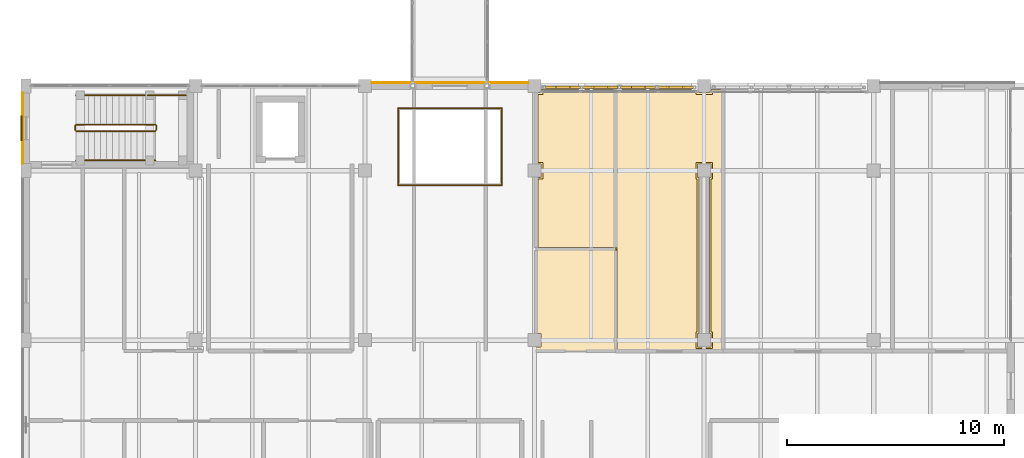
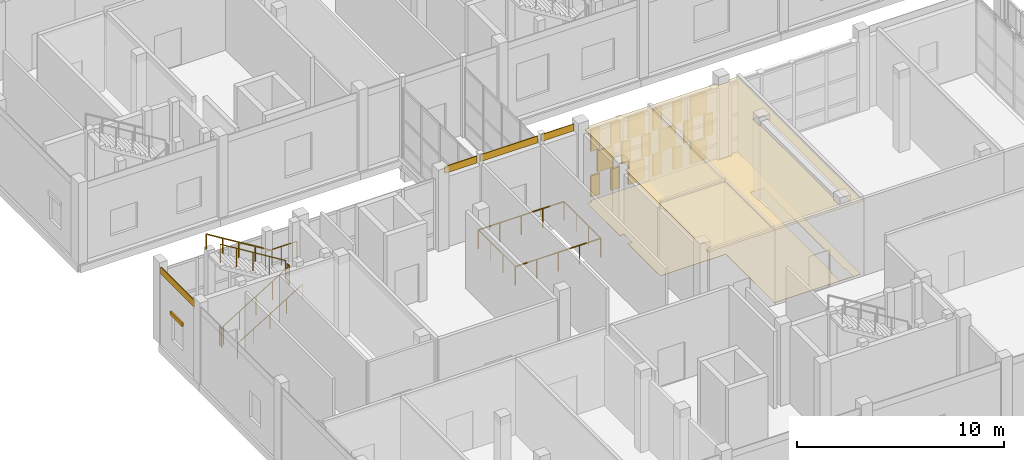
# One storey, part 119 of 138: 25 coverings, 11 railings, 1 shading device.
"""IFC4 building model written with IfcOpenShell, lengths in metres."""

import ifcopenshell
import ifcopenshell.guid

model = None  # the IFC model being written
_history = None  # IfcOwnerHistory: only IFC2X3 demands one
_inside = {}  # id of a spatial element -> (the spatial element, [elements in it])
_under = {}  # id of a project, library or spatial element -> (it, [spatial elements below it])
_declared = {}  # id of a project -> (the project, [libraries it declares])
_typed = {}  # id of a type object -> (the type object, [elements of that type])
_made_of = {}  # id of a material, layer set ... -> (it, [elements and type objects made of it])


def new_model(schema):
    """Start an empty IFC model of exactly this schema.

    Asked for "IFC4X3", IfcOpenShell would pick the latest addendum, in which some entities
    have other attributes; the version numbers below select the first issue.
    IFC2X3 requires an IfcOwnerHistory on every rooted entity: one is made here for all.
    """
    global model, _history
    if schema == "IFC4X3":
        model = ifcopenshell.file(schema_version=(4, 3, 0, 0))
    else:
        model = ifcopenshell.file(schema=schema)
    _inside.clear()
    _under.clear()
    _declared.clear()
    _typed.clear()
    _made_of.clear()
    _history = None
    if model.schema == "IFC2X3":
        org = make("IfcOrganization", Name="unknown")
        user = make(
            "IfcPersonAndOrganization",
            ThePerson=make("IfcPerson", FamilyName="unknown"),
            TheOrganization=org,
        )
        app = make(
            "IfcApplication",
            ApplicationDeveloper=org,
            Version="unknown",
            ApplicationFullName="unknown",
            ApplicationIdentifier="unknown",
        )
        _history = make(
            "IfcOwnerHistory",
            OwningUser=user,
            OwningApplication=app,
            ChangeAction="ADDED",
            CreationDate=0,
        )
    return model


def make(cls, **values):
    """One entity of the class cls with the attributes given. An attribute that is None is left unset."""
    return model.create_entity(
        cls, **{name: value for name, value in values.items() if value is not None}
    )


def rooted(cls, **values):
    """An entity with a GlobalId (a new one), such as an element, a storey or a relation."""
    return make(cls, GlobalId=ifcopenshell.guid.new(), OwnerHistory=_history, **values)


def si_unit(unit_type, name, prefix=None):
    """IfcSIUnit, for example si_unit("LENGTHUNIT", "METRE", prefix="MILLI")."""
    return make("IfcSIUnit", UnitType=unit_type, Prefix=prefix, Name=name)


def assignment(units):
    """IfcUnitAssignment: the units of a project."""
    return None if units is None else make("IfcUnitAssignment", Units=units)


def point(xyz):
    """IfcCartesianPoint."""
    return None if xyz is None else make("IfcCartesianPoint", Coordinates=xyz)


def direction(xyz):
    """IfcDirection."""
    return None if xyz is None else make("IfcDirection", DirectionRatios=xyz)


def frame(location, z_axis=None, x_axis=None):
    """IfcAxis2Placement3D, a coordinate frame: its origin and axes. An axis left out is left unset."""
    return make(
        "IfcAxis2Placement3D",
        Location=point(location),
        Axis=direction(z_axis),
        RefDirection=direction(x_axis),
    )


def frame_2d(location, x_axis=None):
    """IfcAxis2Placement2D, a coordinate frame in the plane: its origin and x axis."""
    return make(
        "IfcAxis2Placement2D", Location=point(location), RefDirection=direction(x_axis)
    )


def origin():
    """The frame at (0, 0, 0) with its axes left unset."""
    return frame((0.0, 0.0, 0.0))


def origin_2d():
    """The frame at (0, 0) in the plane with its x axis left unset."""
    return frame_2d((0.0, 0.0))


def place(relative_to, where):
    """IfcLocalPlacement: puts the frame where relative to a parent placement (None: the world)."""
    return make(
        "IfcLocalPlacement", PlacementRelTo=relative_to, RelativePlacement=where
    )


def context(
    kind, dimensions, precision=None, world=None, true_north=None, identifier=None
):
    """IfcGeometricRepresentationContext, for example the 3D "Model" context."""
    return make(
        "IfcGeometricRepresentationContext",
        ContextIdentifier=identifier,
        ContextType=kind,
        CoordinateSpaceDimension=dimensions,
        Precision=precision,
        WorldCoordinateSystem=world,
        TrueNorth=true_north,
    )


def subcontext(parent, identifier, kind, view, scale=None):
    """IfcGeometricRepresentationSubContext, for example "Body" below "Model"."""
    return make(
        "IfcGeometricRepresentationSubContext",
        ContextIdentifier=identifier,
        ContextType=kind,
        ParentContext=parent,
        TargetScale=scale,
        TargetView=view,
    )


def project(units=None, contexts=None):
    """IfcProject with its units and contexts."""
    return rooted(
        "IfcProject",
        Name="project",
        RepresentationContexts=contexts,
        UnitsInContext=assignment(units),
    )


def spatial(cls, under=None, at=None, **own):
    """A site, building, storey or space (cls), placed at a placement, below another one or the project."""
    s = rooted(cls, ObjectPlacement=at, **own)
    if under is not None:
        _under.setdefault(under.id(), (under, []))[1].append(s)
    return s


def polyline(points):
    """IfcPolyline through the points."""
    return make("IfcPolyline", Points=[point(p) for p in points])


def profile(cls, at=None, kind="AREA", **sizes):
    """A parametric profile (cls). Its sizes go by their IFC names, for example OverallWidth=200.0."""
    return make(cls, ProfileType=kind, Position=at, **sizes)


def rectangle(**sizes):
    """IfcRectangleProfileDef."""
    return profile("IfcRectangleProfileDef", **sizes)


def circle(**sizes):
    """IfcCircleProfileDef."""
    return profile("IfcCircleProfileDef", **sizes)


def outline(outer, holes=None, kind="AREA"):
    """IfcArbitraryClosedProfileDef: a profile drawn as a closed curve; with holes, ...WithVoids."""
    if holes is None:
        return make("IfcArbitraryClosedProfileDef", ProfileType=kind, OuterCurve=outer)
    return make(
        "IfcArbitraryProfileDefWithVoids",
        ProfileType=kind,
        OuterCurve=outer,
        InnerCurves=holes,
    )


def extrude(swept, where, along, depth):
    """IfcExtrudedAreaSolid: the profile swept, set in the frame where, extruded along a direction by depth."""
    return make(
        "IfcExtrudedAreaSolid",
        SweptArea=swept,
        Position=where,
        ExtrudedDirection=direction(along),
        Depth=depth,
    )


def shape(context_of_items, identifier, shape_type, items):
    """IfcShapeRepresentation: the items that make up one representation, for example the "Body"."""
    return make(
        "IfcShapeRepresentation",
        ContextOfItems=context_of_items,
        RepresentationIdentifier=identifier,
        RepresentationType=shape_type,
        Items=items,
    )


def material(Name=None, Category=None):
    """IfcMaterial."""
    return make("IfcMaterial", Name=Name, Category=Category)


def layer(
    of_material, thickness, ventilated=None, Name=None, Category=None, Priority=None
):
    """IfcMaterialLayer: one layer of a wall or slab, of a material (None: an air gap)."""
    return make(
        "IfcMaterialLayer",
        Material=of_material,
        LayerThickness=thickness,
        IsVentilated=ventilated,
        Name=Name,
        Category=Category,
        Priority=Priority,
    )


def layer_set(layers, Name=None):
    """IfcMaterialLayerSet."""
    return make("IfcMaterialLayerSet", MaterialLayers=layers, LayerSetName=Name)


def made_of(thing, what):
    """Note that an element or type object is made of a material, layer set ...; save() writes the relation."""
    if what is not None:
        _made_of.setdefault(what.id(), (what, []))[1].append(thing)
    return thing


def type_object(cls, material=None, **own):
    """A type object (cls), such as IfcWallType, which elements share."""
    return made_of(rooted(cls, **own), material)


def element(
    cls,
    number,
    at=None,
    inside=None,
    cuts=None,
    type_object=None,
    material=None,
    context=None,
    identifier="Body",
    shape_type=None,
    held_by="IfcProductDefinitionShape",
    body=None,
    shapes=None,
    **own,
):
    """One element of the class cls, such as IfcWall. Its Tag is "e" and its number.

    at: its placement. inside: the storey or other place that contains it. cuts: it is an
    opening in that element (IfcRelVoidsElement). A single representation is given by context,
    identifier, shape_type and body (its items); several are given by shapes. held_by: the class
    of the entity that holds the representations. save() writes the other relations.
    """
    e = rooted(cls, Tag="e%d" % number, ObjectPlacement=at, **own)
    if body is not None:
        shapes = [shape(context, identifier, shape_type, body)]
    if shapes is not None:
        e.Representation = make(held_by, Representations=shapes)
    if inside is not None:
        _inside.setdefault(inside.id(), (inside, []))[1].append(e)
    if cuts is not None:
        rooted(
            "IfcRelVoidsElement", RelatingBuildingElement=cuts, RelatedOpeningElement=e
        )
    if type_object is not None:
        _typed.setdefault(type_object.id(), (type_object, []))[1].append(e)
    return made_of(e, material)


def aggregate(whole, parts):
    """IfcRelAggregates: a whole, such as a stair, and the parts it consists of."""
    return rooted("IfcRelAggregates", RelatingObject=whole, RelatedObjects=parts)


def save(model, path):
    """Write the relations noted so far, then the file.

    IfcRelAggregates (storeys below a building ...), IfcRelContainedInSpatialStructure (elements
    in a storey), IfcRelDefinesByType, IfcRelAssociatesMaterial and IfcRelDeclares: one each for
    every whole, place, type object, material and project.
    """
    for whole, parts in _under.values():
        aggregate(whole, parts)
    for where, things in _inside.values():
        rooted(
            "IfcRelContainedInSpatialStructure",
            RelatedElements=things,
            RelatingStructure=where,
        )
    for kind, things in _typed.values():
        rooted("IfcRelDefinesByType", RelatedObjects=things, RelatingType=kind)
    for what, things in _made_of.values():
        rooted("IfcRelAssociatesMaterial", RelatedObjects=things, RelatingMaterial=what)
    for by, libraries in _declared.values():
        rooted("IfcRelDeclares", RelatingContext=by, RelatedDefinitions=libraries)
    model.write(path)


model = new_model("IFC4")

# Units and contexts
model_context = context("Model", 3, precision=1e-05, world=origin(), true_north=direction((0.0, 1.0)))
body_context = subcontext(model_context, "Body", "Model", "MODEL_VIEW")
ifc_project = project(units=[si_unit("LENGTHUNIT", "METRE"), si_unit("AREAUNIT", "SQUARE_METRE"), si_unit("VOLUMEUNIT", "CUBIC_METRE"), si_unit("PLANEANGLEUNIT", "RADIAN"), si_unit("MASSUNIT", "GRAM", prefix="KILO")], contexts=[model_context])

# Site, building, storey
site_placement = place(None, origin())
site = spatial("IfcSite", under=ifc_project, at=site_placement, CompositionType="ELEMENT")
building_placement = place(site_placement, origin())
building = spatial("IfcBuilding", under=site, at=building_placement, Name="Celorna Specialist Clinic", CompositionType="ELEMENT")
storey_placement = place(building_placement, frame((0.0, 0.0, 4.800048828125)))
storey = spatial("IfcBuildingStorey", under=building, at=storey_placement, Name="L01", CompositionType="ELEMENT", Elevation=4.800048828125)

# Railings
ifc_material_1 = material(Name="Stainless steel and laminated glass balustrade", Category="steel")
railing_type_1 = type_object("IfcRailingType", Name="BL-01", PredefinedType="BALUSTRADE", material=ifc_material_1)
railing_1_placement = place(storey_placement, frame((17.1201171875, 22.719970703125, 0.0)))
element("IfcRailing", 1, at=railing_1_placement, inside=storey, type_object=railing_type_1, Name="Clinical lightwell balustrade L01 #6-1", PredefinedType="BALUSTRADE", context=body_context, shape_type="SweptSolid", body=[
    extrude(circle(Radius=0.02392578125, at=origin_2d()), frame((0.0, 0.0, 1.09619140625), z_axis=(1.0, 0.0, 0.0), x_axis=(0.0, 1.0, 0.0)), (0.0, 0.0, 1.0), 4.759765625),
    extrude(circle(Radius=0.02099609375, at=origin_2d()), origin(), (0.0, 0.0, 1.0), 1.072021484375),
    extrude(circle(Radius=0.02099609375, at=origin_2d()), frame((1.18994140625, 0.0, 0.0)), (0.0, 0.0, 1.0), 1.072021484375),
    extrude(circle(Radius=0.02099609375, at=origin_2d()), frame((2.3798828125, 0.0, 0.0)), (0.0, 0.0, 1.0), 1.072021484375),
    extrude(circle(Radius=0.02099609375, at=origin_2d()), frame((3.56982421875, 0.0, 0.0)), (0.0, 0.0, 1.0), 1.072021484375),
    extrude(circle(Radius=0.02099609375, at=origin_2d()), frame((4.759765625, 0.0, 0.0)), (0.0, 0.0, 1.0), 1.072021484375),
])
railing_2_placement = place(storey_placement, frame((21.8798828125, 22.719970703125, 0.0)))
element("IfcRailing", 2, at=railing_2_placement, inside=storey, type_object=railing_type_1, Name="Clinical lightwell balustrade L01 #6-2", PredefinedType="BALUSTRADE", context=body_context, shape_type="SweptSolid", body=[
    extrude(circle(Radius=0.02392578125, at=origin_2d()), frame((0.0, 0.0, 1.09619140625), z_axis=(0.0, 1.0, 0.0), x_axis=(-1.0, 0.0, 0.0)), (0.0, 0.0, 1.0), 3.56005859375),
    extrude(circle(Radius=0.02099609375, at=origin_2d()), origin(), (0.0, 0.0, 1.0), 1.072021484375),
    extrude(circle(Radius=0.02099609375, at=origin_2d()), frame((0.0, 1.186767578125, 0.0)), (0.0, 0.0, 1.0), 1.072021484375),
    extrude(circle(Radius=0.02099609375, at=origin_2d()), frame((0.0, 2.373291015625, 0.0)), (0.0, 0.0, 1.0), 1.072021484375),
    extrude(circle(Radius=0.02099609375, at=origin_2d()), frame((0.0, 3.56005859375, 0.0)), (0.0, 0.0, 1.0), 1.072021484375),
])
railing_3_placement = place(storey_placement, frame((21.8798828125, 26.280029296875, 0.0)))
element("IfcRailing", 3, at=railing_3_placement, inside=storey, type_object=railing_type_1, Name="Clinical lightwell balustrade L01 #6-3", PredefinedType="BALUSTRADE", context=body_context, shape_type="SweptSolid", body=[
    extrude(circle(Radius=0.02392578125, at=origin_2d()), frame((0.0, 0.0, 1.09619140625), z_axis=(-1.0, 0.0, 0.0), x_axis=(0.0, -1.0, 0.0)), (0.0, 0.0, 1.0), 4.759765625),
    extrude(circle(Radius=0.02099609375, at=origin_2d()), origin(), (0.0, 0.0, 1.0), 1.072021484375),
    extrude(circle(Radius=0.02099609375, at=origin_2d()), frame((-1.18994140625, 0.0, 0.0)), (0.0, 0.0, 1.0), 1.072021484375),
    extrude(circle(Radius=0.02099609375, at=origin_2d()), frame((-2.3798828125, 0.0, 0.0)), (0.0, 0.0, 1.0), 1.072021484375),
    extrude(circle(Radius=0.02099609375, at=origin_2d()), frame((-3.56982421875, 0.0, 0.0)), (0.0, 0.0, 1.0), 1.072021484375),
    extrude(circle(Radius=0.02099609375, at=origin_2d()), frame((-4.759765625, 0.0, 0.0)), (0.0, 0.0, 1.0), 1.072021484375),
])
railing_4_placement = place(storey_placement, frame((17.1201171875, 26.280029296875, 0.0)))
element("IfcRailing", 4, at=railing_4_placement, inside=storey, type_object=railing_type_1, Name="Clinical lightwell balustrade L01 #6-4", PredefinedType="BALUSTRADE", context=body_context, shape_type="SweptSolid", body=[
    extrude(circle(Radius=0.02392578125, at=origin_2d()), frame((0.0, 0.0, 1.09619140625), z_axis=(0.0, -1.0, 0.0), x_axis=(1.0, 0.0, 0.0)), (0.0, 0.0, 1.0), 3.56005859375),
    extrude(circle(Radius=0.02099609375, at=origin_2d()), origin(), (0.0, 0.0, 1.0), 1.072021484375),
    extrude(circle(Radius=0.02099609375, at=origin_2d()), frame((0.0, -1.186767578125, 0.0)), (0.0, 0.0, 1.0), 1.072021484375),
    extrude(circle(Radius=0.02099609375, at=origin_2d()), frame((0.0, -2.373291015625, 0.0)), (0.0, 0.0, 1.0), 1.072021484375),
    extrude(circle(Radius=0.02099609375, at=origin_2d()), frame((0.0, -3.56005859375, 0.0)), (0.0, 0.0, 1.0), 1.072021484375),
])

# Coverings
ifc_material_2 = material(Name="Hygienic acoustic mineral-fibre ceiling")
ifc_layer_1 = layer(ifc_material_2, 0.030029296875, Name="Hygienic acoustic mineral-fibre ceiling")
ifc_layer_set_1 = layer_set([ifc_layer_1], Name="Hygienic acoustic mineral-fibre ceiling")
covering_type_1 = type_object("IfcCoveringType", Name="CE-01", PredefinedType="CEILING", material=ifc_layer_set_1)
covering_1_placement = place(storey_placement, frame((0.0, 0.0, 4.329833984375)))
element("IfcCovering", 5, at=covering_1_placement, inside=storey, type_object=covering_type_1, Name="Acoustic ceiling L01-100", PredefinedType="CEILING", context=body_context, shape_type="SweptSolid", body=[
    extrude(outline(polyline([(23.455078125, 19.81494140625), (27.135009765625, 19.81494140625), (27.135009765625, 15.0849609375), (23.455078125, 15.0849609375), (23.455078125, 15.294921875), (23.705078125, 15.294921875), (23.705078125, 15.905029296875), (23.455078125, 15.905029296875), (23.455078125, 19.81494140625)])), origin(), (0.0, 0.0, 1.0), 0.030029296875),
])
covering_2_placement = place(storey_placement, frame((0.0, 0.0, 4.329833984375)))
element("IfcCovering", 6, at=covering_2_placement, inside=storey, type_object=covering_type_1, Name="Acoustic ceiling L01-101", PredefinedType="CEILING", context=body_context, shape_type="SweptSolid", body=[
    extrude(outline(polyline([(27.10498046875, 19.784912109375), (23.455078125, 19.784912109375), (23.455078125, 23.094970703125), (23.705078125, 23.094970703125), (23.705078125, 23.705078125), (23.455078125, 23.705078125), (23.455078125, 26.9951171875), (23.705078125, 26.9951171875), (23.705078125, 27.14501953125), (30.89501953125, 27.14501953125), (30.89501953125, 26.9951171875), (31.5048828125, 26.9951171875), (31.5048828125, 27.14501953125), (32.0849609375, 27.14501953125), (32.0849609375, 15.0849609375), (27.10498046875, 15.0849609375), (27.10498046875, 19.784912109375)]), holes=[polyline([(31.43505859375, 23.094970703125), (31.5048828125, 23.094970703125), (31.5048828125, 23.705078125), (30.89501953125, 23.705078125), (30.89501953125, 23.094970703125), (30.965087890625, 23.094970703125), (30.965087890625, 15.905029296875), (30.89501953125, 15.905029296875), (30.89501953125, 15.294921875), (31.5048828125, 15.294921875), (31.5048828125, 15.905029296875), (31.43505859375, 15.905029296875), (31.43505859375, 23.094970703125)])]), origin(), (0.0, 0.0, 1.0), 0.030029296875),
])
ifc_material_3 = material(Name="Pero Pinheiro Lioz limestone rainscreen cladding", Category="masonry")
ifc_layer_2 = layer(ifc_material_3, 0.044921875, Name="Pero Pinheiro Lioz limestone rainscreen cladding")
ifc_layer_set_2 = layer_set([ifc_layer_2], Name="Pero Pinheiro Lioz limestone rainscreen cladding")
covering_type_2 = type_object("IfcCoveringType", Name="CL-01", PredefinedType="CLADDING", material=ifc_layer_set_2)
covering_3_placement = place(storey_placement, frame((16.800048828125, 27.447509765625, 4.139892578125), z_axis=(0.0, 0.0, 1.0), x_axis=(1.0, 0.0, 0.0)))
element("IfcCovering", 7, at=covering_3_placement, inside=storey, type_object=covering_type_2, Name="Lioz spandrel cladding #326", PredefinedType="CLADDING", context=body_context, shape_type="SweptSolid", body=[
    extrude(rectangle(XDim=1.800048828125, YDim=0.044921875, at=origin_2d()), origin(), (0.0, 0.0, 1.0), 0.39990234375),
])
covering_4_placement = place(storey_placement, frame((19.5, 27.447509765625, 4.139892578125), z_axis=(0.0, 0.0, 1.0), x_axis=(1.0, 0.0, 0.0)))
element("IfcCovering", 8, at=covering_4_placement, inside=storey, type_object=covering_type_2, Name="Lioz spandrel cladding #327", PredefinedType="CLADDING", context=body_context, shape_type="SweptSolid", body=[
    extrude(rectangle(XDim=3.199951171875, YDim=0.044921875, at=origin_2d()), origin(), (0.0, 0.0, 1.0), 0.39990234375),
])
covering_5_placement = place(storey_placement, frame((22.199951171875, 27.447509765625, 4.139892578125), z_axis=(0.0, 0.0, 1.0), x_axis=(1.0, 0.0, 0.0)))
element("IfcCovering", 9, at=covering_5_placement, inside=storey, type_object=covering_type_2, Name="Lioz spandrel cladding #328", PredefinedType="CLADDING", context=body_context, shape_type="SweptSolid", body=[
    extrude(rectangle(XDim=1.800048828125, YDim=0.044921875, at=origin_2d()), origin(), (0.0, 0.0, 1.0), 0.39990234375),
])
covering_6_placement = place(storey_placement, frame((-0.1474609375, 25.35009765625, 4.139892578125), z_axis=(0.0, 0.0, 1.0), x_axis=(0.0, 1.0, 0.0)))
element("IfcCovering", 10, at=covering_6_placement, inside=storey, type_object=covering_type_2, Name="Lioz spandrel cladding #334", PredefinedType="CLADDING", context=body_context, shape_type="SweptSolid", body=[
    extrude(rectangle(XDim=3.25, YDim=0.044921875, at=origin_2d()), origin(), (0.0, 0.0, 1.0), 0.39990234375),
])
ifc_material_4 = material(Name="Perforated terracotta brick weave cladding", Category="masonry")
ifc_layer_3 = layer(ifc_material_4, 0.114990234375, Name="Perforated terracotta brick weave cladding")
ifc_layer_set_3 = layer_set([ifc_layer_3], Name="Perforated terracotta brick weave cladding")
covering_type_3 = type_object("IfcCoveringType", Name="CL-02", PredefinedType="CLADDING", material=ifc_layer_set_3)
for number, where, z_axis, x_axis, name in (
    (11, (24.1455078125, 27.22998046875, 0.10009765625), (0.0, 0.0, 1.0), (1.0, 0.0, 0.0), "Woven perforated terracotta brick course #1482"),
    (12, (25.264404296875, 27.22998046875, 0.10009765625), (0.0, 0.0, 1.0), (1.0, 0.0, 0.0), "Woven perforated terracotta brick course #1483"),
):
    element("IfcCovering", number, at=place(storey_placement, frame(where, z_axis=z_axis, x_axis=x_axis)), inside=storey, type_object=covering_type_3, Name=name, PredefinedType="CLADDING", context=body_context, shape_type="SweptSolid", body=[
        extrude(rectangle(XDim=0.490966796875, YDim=0.114990234375, at=origin_2d()), origin(), (0.0, 0.0, 1.0), 1.24658203125),
    ])
covering_7_placement = place(storey_placement, frame((24.705078125, 27.22998046875, 1.44677734375), z_axis=(0.0, 0.0, 1.0), x_axis=(1.0, 0.0, 0.0)))
element("IfcCovering", 13, at=covering_7_placement, inside=storey, type_object=covering_type_3, Name="Woven perforated terracotta brick course #1484", PredefinedType="CLADDING", context=body_context, shape_type="SweptSolid", body=[
    extrude(rectangle(XDim=0.869384765625, YDim=0.114990234375, at=origin_2d()), origin(), (0.0, 0.0, 1.0), 1.24658203125),
])
for number, where, z_axis, x_axis, name in (
    (14, (24.1455078125, 27.22998046875, 2.793212890625), (0.0, 0.0, 1.0), (1.0, 0.0, 0.0), "Woven perforated terracotta brick course #1485"),
    (15, (25.264404296875, 27.22998046875, 2.793212890625), (0.0, 0.0, 1.0), (1.0, 0.0, 0.0), "Woven perforated terracotta brick course #1486"),
):
    element("IfcCovering", number, at=place(storey_placement, frame(where, z_axis=z_axis, x_axis=x_axis)), inside=storey, type_object=covering_type_3, Name=name, PredefinedType="CLADDING", context=body_context, shape_type="SweptSolid", body=[
        extrude(rectangle(XDim=0.490966796875, YDim=0.114990234375, at=origin_2d()), origin(), (0.0, 0.0, 1.0), 1.24658203125),
    ])
covering_8_placement = place(storey_placement, frame((26.43505859375, 27.22998046875, 0.10009765625), z_axis=(0.0, 0.0, 1.0), x_axis=(1.0, 0.0, 0.0)))
element("IfcCovering", 16, at=covering_8_placement, inside=storey, type_object=covering_type_3, Name="Woven perforated terracotta brick course #1487", PredefinedType="CLADDING", context=body_context, shape_type="SweptSolid", body=[
    extrude(rectangle(XDim=0.869384765625, YDim=0.114990234375, at=origin_2d()), origin(), (0.0, 0.0, 1.0), 1.24658203125),
])
for number, where, z_axis, x_axis, name in (
    (17, (25.87548828125, 27.22998046875, 1.44677734375), (0.0, 0.0, 1.0), (1.0, 0.0, 0.0), "Woven perforated terracotta brick course #1488"),
    (18, (26.994384765625, 27.22998046875, 1.44677734375), (0.0, 0.0, 1.0), (1.0, 0.0, 0.0), "Woven perforated terracotta brick course #1489"),
):
    element("IfcCovering", number, at=place(storey_placement, frame(where, z_axis=z_axis, x_axis=x_axis)), inside=storey, type_object=covering_type_3, Name=name, PredefinedType="CLADDING", context=body_context, shape_type="SweptSolid", body=[
        extrude(rectangle(XDim=0.490966796875, YDim=0.114990234375, at=origin_2d()), origin(), (0.0, 0.0, 1.0), 1.24658203125),
    ])
covering_9_placement = place(storey_placement, frame((26.43505859375, 27.22998046875, 2.793212890625), z_axis=(0.0, 0.0, 1.0), x_axis=(1.0, 0.0, 0.0)))
element("IfcCovering", 19, at=covering_9_placement, inside=storey, type_object=covering_type_3, Name="Woven perforated terracotta brick course #1490", PredefinedType="CLADDING", context=body_context, shape_type="SweptSolid", body=[
    extrude(rectangle(XDim=0.869384765625, YDim=0.114990234375, at=origin_2d()), origin(), (0.0, 0.0, 1.0), 1.24658203125),
])
for number, where, z_axis, x_axis, name in (
    (20, (27.60546875, 27.22998046875, 0.10009765625), (0.0, 0.0, 1.0), (1.0, 0.0, 0.0), "Woven perforated terracotta brick course #1491"),
    (21, (28.724609375, 27.22998046875, 0.10009765625), (0.0, 0.0, 1.0), (1.0, 0.0, 0.0), "Woven perforated terracotta brick course #1492"),
):
    element("IfcCovering", number, at=place(storey_placement, frame(where, z_axis=z_axis, x_axis=x_axis)), inside=storey, type_object=covering_type_3, Name=name, PredefinedType="CLADDING", context=body_context, shape_type="SweptSolid", body=[
        extrude(rectangle(XDim=0.490966796875, YDim=0.114990234375, at=origin_2d()), origin(), (0.0, 0.0, 1.0), 1.24658203125),
    ])
covering_10_placement = place(storey_placement, frame((28.1650390625, 27.22998046875, 1.44677734375), z_axis=(0.0, 0.0, 1.0), x_axis=(1.0, 0.0, 0.0)))
element("IfcCovering", 22, at=covering_10_placement, inside=storey, type_object=covering_type_3, Name="Woven perforated terracotta brick course #1493", PredefinedType="CLADDING", context=body_context, shape_type="SweptSolid", body=[
    extrude(rectangle(XDim=0.869384765625, YDim=0.114990234375, at=origin_2d()), origin(), (0.0, 0.0, 1.0), 1.24658203125),
])
for number, where, z_axis, x_axis, name in (
    (23, (27.60546875, 27.22998046875, 2.793212890625), (0.0, 0.0, 1.0), (1.0, 0.0, 0.0), "Woven perforated terracotta brick course #1494"),
    (24, (28.724609375, 27.22998046875, 2.793212890625), (0.0, 0.0, 1.0), (1.0, 0.0, 0.0), "Woven perforated terracotta brick course #1495"),
):
    element("IfcCovering", number, at=place(storey_placement, frame(where, z_axis=z_axis, x_axis=x_axis)), inside=storey, type_object=covering_type_3, Name=name, PredefinedType="CLADDING", context=body_context, shape_type="SweptSolid", body=[
        extrude(rectangle(XDim=0.490966796875, YDim=0.114990234375, at=origin_2d()), origin(), (0.0, 0.0, 1.0), 1.24658203125),
    ])
covering_11_placement = place(storey_placement, frame((29.89501953125, 27.22998046875, 0.10009765625), z_axis=(0.0, 0.0, 1.0), x_axis=(1.0, 0.0, 0.0)))
element("IfcCovering", 25, at=covering_11_placement, inside=storey, type_object=covering_type_3, Name="Woven perforated terracotta brick course #1496", PredefinedType="CLADDING", context=body_context, shape_type="SweptSolid", body=[
    extrude(rectangle(XDim=0.869384765625, YDim=0.114990234375, at=origin_2d()), origin(), (0.0, 0.0, 1.0), 1.24658203125),
])
for number, where, z_axis, x_axis, name in (
    (26, (29.33544921875, 27.22998046875, 1.44677734375), (0.0, 0.0, 1.0), (1.0, 0.0, 0.0), "Woven perforated terracotta brick course #1497"),
    (27, (30.45458984375, 27.22998046875, 1.44677734375), (0.0, 0.0, 1.0), (1.0, 0.0, 0.0), "Woven perforated terracotta brick course #1498"),
):
    element("IfcCovering", number, at=place(storey_placement, frame(where, z_axis=z_axis, x_axis=x_axis)), inside=storey, type_object=covering_type_3, Name=name, PredefinedType="CLADDING", context=body_context, shape_type="SweptSolid", body=[
        extrude(rectangle(XDim=0.490966796875, YDim=0.114990234375, at=origin_2d()), origin(), (0.0, 0.0, 1.0), 1.24658203125),
    ])
covering_12_placement = place(storey_placement, frame((29.89501953125, 27.22998046875, 2.793212890625), z_axis=(0.0, 0.0, 1.0), x_axis=(1.0, 0.0, 0.0)))
element("IfcCovering", 28, at=covering_12_placement, inside=storey, type_object=covering_type_3, Name="Woven perforated terracotta brick course #1499", PredefinedType="CLADDING", context=body_context, shape_type="SweptSolid", body=[
    extrude(rectangle(XDim=0.869384765625, YDim=0.114990234375, at=origin_2d()), origin(), (0.0, 0.0, 1.0), 1.24658203125),
])
ifc_material_5 = material(Name="Seamless antimicrobial clinical vinyl and Lioz terrazzo flooring")
ifc_layer_4 = layer(ifc_material_5, 0.02001953125, Name="Seamless antimicrobial clinical vinyl and Lioz terrazzo flooring")
ifc_layer_set_4 = layer_set([ifc_layer_4], Name="Seamless antimicrobial clinical vinyl and Lioz terrazzo flooring")
covering_type_4 = type_object("IfcCoveringType", Name="FL-01", PredefinedType="FLOORING", material=ifc_layer_set_4)
covering_13_placement = place(storey_placement, origin())
element("IfcCovering", 29, at=covering_13_placement, inside=storey, type_object=covering_type_4, Name="Antimicrobial clinical flooring L01-101", PredefinedType="FLOORING", context=body_context, shape_type="SweptSolid", body=[
    extrude(outline(polyline([(27.195068359375, 15.175048828125), (27.195068359375, 19.875), (23.544921875, 19.875), (23.544921875, 23.014892578125), (23.784912109375, 23.014892578125), (23.784912109375, 23.784912109375), (23.544921875, 23.784912109375), (23.544921875, 26.9150390625), (23.784912109375, 26.9150390625), (23.784912109375, 27.054931640625), (30.81494140625, 27.054931640625), (30.81494140625, 26.9150390625), (31.5849609375, 26.9150390625), (31.5849609375, 27.054931640625), (31.9951171875, 27.054931640625), (31.9951171875, 15.175048828125), (27.195068359375, 15.175048828125)]), holes=[polyline([(30.875, 15.985107421875), (30.81494140625, 15.985107421875), (30.81494140625, 15.215087890625), (31.5849609375, 15.215087890625), (31.5849609375, 15.985107421875), (31.52490234375, 15.985107421875), (31.52490234375, 23.014892578125), (31.5849609375, 23.014892578125), (31.5849609375, 23.784912109375), (30.81494140625, 23.784912109375), (30.81494140625, 23.014892578125), (30.875, 23.014892578125), (30.875, 15.985107421875)])]), origin(), (0.0, 0.0, 1.0), 0.02001953125),
])

# Railings
ifc_material_6 = material(Name="Powder-coated steel S355", Category="steel")
railing_type_2 = type_object("IfcRailingType", Name="GR-01", PredefinedType="GUARDRAIL", material=ifc_material_6)
railing_5_placement = place(storey_placement, frame((2.31005859375, 25.219970703125, 0.17138671875)))
element("IfcRailing", 30, at=railing_5_placement, inside=storey, type_object=railing_type_2, Name="L01 ST-04 stair guard 1", PredefinedType="GUARDRAIL", context=body_context, shape_type="SweptSolid", body=[
    extrude(circle(Radius=0.02392578125, at=origin_2d()), frame((0.0, 0.0, 1.09619140625), z_axis=(0.852850264322, 0.0, 0.5221555579), x_axis=(0.0, 1.0, 0.0)), (0.0, 0.0, 1.0), 4.267822265625),
    extrude(circle(Radius=0.02099609375, at=origin_2d()), origin(), (0.0, 0.0, 1.0), 1.072021484375),
    extrude(circle(Radius=0.02099609375, at=origin_2d()), frame((0.909912109375, 0.0, 0.55712890625)), (0.0, 0.0, 1.0), 1.072021484375),
    extrude(circle(Radius=0.02099609375, at=origin_2d()), frame((1.81982421875, 0.0, 1.1142578125)), (0.0, 0.0, 1.0), 1.072021484375),
    extrude(circle(Radius=0.02099609375, at=origin_2d()), frame((2.72998046875, 0.0, 1.67138671875)), (0.0, 0.0, 1.0), 1.072021484375),
    extrude(circle(Radius=0.02099609375, at=origin_2d()), frame((3.639892578125, 0.0, 2.228515625)), (0.0, 0.0, 1.0), 1.072021484375),
])
railing_6_placement = place(storey_placement, frame((6.0, 25.27001953125, 2.39990234375)))
element("IfcRailing", 31, at=railing_6_placement, inside=storey, type_object=railing_type_2, Name="L01 ST-04 stair guard 2", PredefinedType="GUARDRAIL", context=body_context, shape_type="SweptSolid", body=[
    extrude(circle(Radius=0.02392578125, at=origin_2d()), frame((0.0, 0.0, 1.09619140625), z_axis=(0.0, 1.0, 0.0), x_axis=(-1.0, 0.0, 0.0)), (0.0, 0.0, 1.0), 0.199951171875),
    extrude(circle(Radius=0.02099609375, at=origin_2d()), origin(), (0.0, 0.0, 1.0), 1.072021484375),
    extrude(circle(Radius=0.02099609375, at=origin_2d()), frame((0.0, 0.199951171875, 0.0)), (0.0, 0.0, 1.0), 1.072021484375),
])
railing_7_placement = place(storey_placement, frame((5.949951171875, 25.52001953125, 2.5712890625)))
element("IfcRailing", 32, at=railing_7_placement, inside=storey, type_object=railing_type_2, Name="L01 ST-04 stair guard 3", PredefinedType="GUARDRAIL", context=body_context, shape_type="SweptSolid", body=[
    extrude(circle(Radius=0.02392578125, at=origin_2d()), frame((0.0, 0.0, 1.09619140625), z_axis=(-0.852824790078, 0.0, 0.522197163366), x_axis=(0.0, -1.0, 0.0)), (0.0, 0.0, 1.0), 4.26806640625),
    extrude(circle(Radius=0.02099609375, at=origin_2d()), origin(), (0.0, 0.0, 1.0), 1.072021484375),
    extrude(circle(Radius=0.02099609375, at=origin_2d()), frame((-0.909912109375, 0.0, 0.55712890625)), (0.0, 0.0, 1.0), 1.072021484375),
    extrude(circle(Radius=0.02099609375, at=origin_2d()), frame((-1.81982421875, 0.0, 1.1142578125)), (0.0, 0.0, 1.0), 1.072021484375),
    extrude(circle(Radius=0.02099609375, at=origin_2d()), frame((-2.72998046875, 0.0, 1.671630859375)), (0.0, 0.0, 1.0), 1.072021484375),
    extrude(circle(Radius=0.02099609375, at=origin_2d()), frame((-3.639892578125, 0.0, 2.228759765625)), (0.0, 0.0, 1.0), 1.072021484375),
])
railing_8_placement = place(storey_placement, frame((2.260009765625, 25.27001953125, 0.0)))
element("IfcRailing", 33, at=railing_8_placement, inside=storey, type_object=railing_type_2, Name="L01 ST-04 stair guard 4", PredefinedType="GUARDRAIL", context=body_context, shape_type="SweptSolid", body=[
    extrude(circle(Radius=0.02392578125, at=origin_2d()), frame((0.0, 0.0, 1.09619140625), z_axis=(0.0, 1.0, 0.0), x_axis=(-1.0, 0.0, 0.0)), (0.0, 0.0, 1.0), 0.199951171875),
    extrude(circle(Radius=0.02099609375, at=origin_2d()), origin(), (0.0, 0.0, 1.0), 1.072021484375),
    extrude(circle(Radius=0.02099609375, at=origin_2d()), frame((0.0, 0.199951171875, 0.0)), (0.0, 0.0, 1.0), 1.072021484375),
])
railing_9_placement = place(storey_placement, frame((5.610107421875, 26.860107421875, 2.39990234375)))
element("IfcRailing", 34, at=railing_9_placement, inside=storey, type_object=railing_type_2, Name="Stair ST-04 half-landing guard L01", PredefinedType="GUARDRAIL", context=body_context, shape_type="SweptSolid", body=[
    extrude(circle(Radius=0.02392578125, at=origin_2d()), frame((0.0, 0.0, 1.09619140625), z_axis=(1.0, 0.0, 0.0), x_axis=(0.0, 1.0, 0.0)), (0.0, 0.0, 1.0), 1.739990234375),
    extrude(circle(Radius=0.02099609375, at=origin_2d()), origin(), (0.0, 0.0, 1.0), 1.072021484375),
    extrude(circle(Radius=0.02099609375, at=origin_2d()), frame((0.8701171875, 0.0, 0.0)), (0.0, 0.0, 1.0), 1.072021484375),
    extrude(circle(Radius=0.02099609375, at=origin_2d()), frame((1.739990234375, 0.0, 0.0)), (0.0, 0.0, 1.0), 1.072021484375),
])
ifc_material_7 = material(Name="Brushed stainless steel handrail", Category="steel")
railing_type_3 = type_object("IfcRailingType", Name="HR-01", PredefinedType="HANDRAIL", material=ifc_material_7)
railing_10_placement = place(storey_placement, frame((2.31005859375, 23.8701171875, 0.17138671875)))
element("IfcRailing", 35, at=railing_10_placement, inside=storey, type_object=railing_type_3, Name="L01 ST-04 stair handrail 1", PredefinedType="HANDRAIL", context=body_context, shape_type="SweptSolid", body=[
    extrude(circle(Radius=0.02392578125, at=origin_2d()), frame((0.0, 0.0, 0.8759765625), z_axis=(0.852850264322, 0.0, 0.5221555579), x_axis=(0.0, 1.0, 0.0)), (0.0, 0.0, 1.0), 4.267822265625),
    extrude(circle(Radius=0.02099609375, at=origin_2d()), origin(), (0.0, 0.0, 1.0), 0.851806640625),
    extrude(circle(Radius=0.02099609375, at=origin_2d()), frame((0.909912109375, 0.0, 0.55712890625)), (0.0, 0.0, 1.0), 0.851806640625),
    extrude(circle(Radius=0.02099609375, at=origin_2d()), frame((1.81982421875, 0.0, 1.1142578125)), (0.0, 0.0, 1.0), 0.851806640625),
    extrude(circle(Radius=0.02099609375, at=origin_2d()), frame((2.72998046875, 0.0, 1.67138671875)), (0.0, 0.0, 1.0), 0.851806640625),
    extrude(circle(Radius=0.02099609375, at=origin_2d()), frame((3.639892578125, 0.0, 2.228515625)), (0.0, 0.0, 1.0), 0.851806640625),
])
railing_11_placement = place(storey_placement, frame((5.949951171875, 26.8701171875, 2.5712890625)))
element("IfcRailing", 36, at=railing_11_placement, inside=storey, type_object=railing_type_3, Name="L01 ST-04 stair handrail 2", PredefinedType="HANDRAIL", context=body_context, shape_type="SweptSolid", body=[
    extrude(circle(Radius=0.02392578125, at=origin_2d()), frame((0.0, 0.0, 0.8759765625), z_axis=(-0.852824790078, 0.0, 0.522197163366), x_axis=(0.0, -1.0, 0.0)), (0.0, 0.0, 1.0), 4.26806640625),
    extrude(circle(Radius=0.02099609375, at=origin_2d()), origin(), (0.0, 0.0, 1.0), 0.851806640625),
    extrude(circle(Radius=0.02099609375, at=origin_2d()), frame((-0.909912109375, 0.0, 0.55712890625)), (0.0, 0.0, 1.0), 0.851806640625),
    extrude(circle(Radius=0.02099609375, at=origin_2d()), frame((-1.81982421875, 0.0, 1.1142578125)), (0.0, 0.0, 1.0), 0.851806640625),
    extrude(circle(Radius=0.02099609375, at=origin_2d()), frame((-2.72998046875, 0.0, 1.671630859375)), (0.0, 0.0, 1.0), 0.851806640625),
    extrude(circle(Radius=0.02099609375, at=origin_2d()), frame((-3.639892578125, 0.0, 2.228759765625)), (0.0, 0.0, 1.0), 0.851806640625),
])

# Shading device
ifc_material_8 = material(Name="Anodized aluminium solar louvre", Category="aluminium")
ifc_layer_5 = layer(ifc_material_8, 0.080078125, Name="Anodized aluminium solar louvre")
ifc_layer_set_5 = layer_set([ifc_layer_5], Name="Anodized aluminium solar louvre")
shading_device_type = type_object("IfcShadingDeviceType", Name="LV-01", PredefinedType="JALOUSIE", material=ifc_layer_set_5)
shading_device_placement = place(storey_placement, frame((-0.2099609375, 25.35009765625, 2.39013671875), z_axis=(0.0, 0.0, 1.0), x_axis=(0.0, 1.0, 0.0)))
element("IfcShadingDevice", 37, at=shading_device_placement, inside=storey, type_object=shading_device_type, Name="External solar louvre LV-01 #202", PredefinedType="JALOUSIE", context=body_context, shape_type="SweptSolid", body=[
    extrude(rectangle(XDim=1.14990234375, YDim=0.080078125, at=origin_2d()), origin(), (0.0, 0.0, 1.0), 0.219970703125),
])

save(model, "model.ifc")
